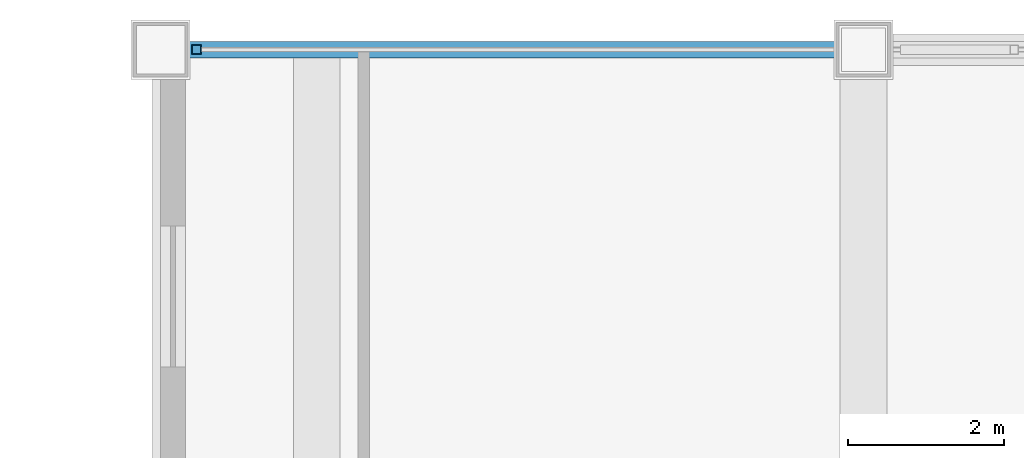
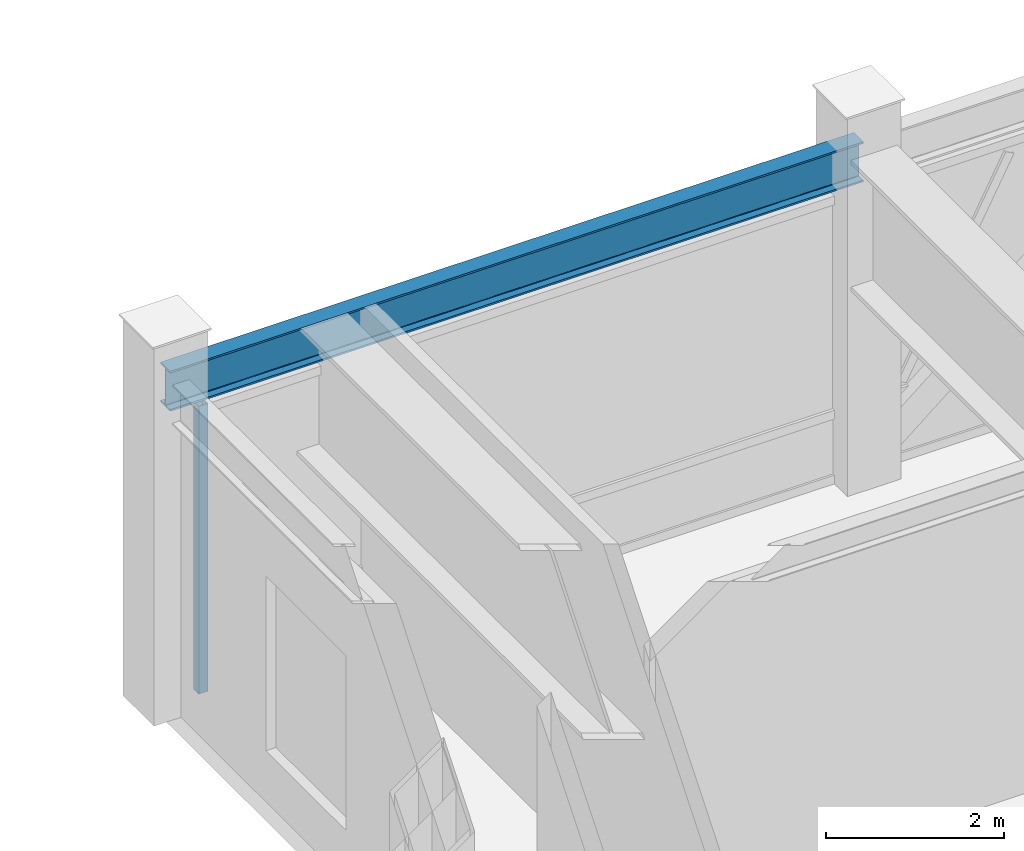
# One storey, part 16 of 29: 1 beam, 1 member, 1 element without a shape of its own.
"""IFC4 building model written with IfcOpenShell, lengths in metres."""

from ifc_helpers import new_model, si_unit, direction, frame, origin, origin_2d, place, context, subcontext, project, spatial, hollow_rectangle, i_section, extrude, source, transform, mapped, material, material_profile, profile_set, type_object, element, aggregate, save


model = new_model("IFC4")

# Units and contexts
model_context = context("Model", 3, precision=1e-05, world=origin(), true_north=direction((0.0, 1.0)))
body_context = subcontext(model_context, "Body", "Model", "MODEL_VIEW")
ifc_project = project(units=[si_unit("LENGTHUNIT", "METRE"), si_unit("AREAUNIT", "SQUARE_METRE"), si_unit("VOLUMEUNIT", "CUBIC_METRE"), si_unit("PLANEANGLEUNIT", "RADIAN"), si_unit("MASSUNIT", "GRAM", prefix="KILO")], contexts=[model_context])

# Site, building, storey
site_placement = place(None, origin())
site = spatial("IfcSite", under=ifc_project, at=site_placement, CompositionType="ELEMENT")
building_placement = place(site_placement, origin())
building = spatial("IfcBuilding", under=site, at=building_placement, Name="Khorayat Bourse Tower", CompositionType="ELEMENT")
storey_placement = place(building_placement, frame((0.0, 0.0, 370.300048828125)))
storey = spatial("IfcBuildingStorey", under=building, at=storey_placement, Name="L88", CompositionType="ELEMENT", Elevation=370.300048828125)

# Beam
ifc_material_1 = material(Name="Steel ASTM A992 Grade 50", Category="steel")
ifc_material_profile_1 = material_profile(ifc_material_1, i_section(OverallWidth=0.214111328125, OverallDepth=0.549072265625, WebThickness=0.0146484375, FlangeThickness=0.023681640625, FilletRadius=0.013916015625, at=origin_2d()), Name="W530X138")
ifc_profile_set_1 = profile_set([ifc_material_profile_1], Name="Steel ASTM A992 Grade 50")
beam_type = type_object("IfcBeamType", Name="BM-SPAN-530", PredefinedType="SPANDREL", material=ifc_profile_set_1)
shared_shape_1 = source(origin(), body_context, "Body", "SweptSolid", [
    extrude(i_section(OverallWidth=0.214111328125, OverallDepth=0.549072265625, WebThickness=0.0146484375, FlangeThickness=0.023681640625, FilletRadius=0.013916015625, at=origin_2d()), origin(), (0.0, 0.0, 1.0), 9.0),
])
beam_placement = place(storey_placement, frame((-20.0, 26.0, 4.325439453125), z_axis=(1.0, 0.0, 0.0), x_axis=(0.0, 1.0, 0.0)))
element("IfcBeam", 1, at=beam_placement, inside=storey, type_object=beam_type, Name="L88 BM-SPAN-530 BM-L88-SPN-045", PredefinedType="SPANDREL", context=body_context, shape_type="MappedRepresentation", body=[
    mapped(shared_shape_1, transform((0.0, 0.0, 0.0), scale=1.0)),
])

# Curtain wall, member
ifc_material_2 = material(Name="Aluminium EN AW-6063 T6", Category="aluminium")
curtain_wall_type = type_object("IfcCurtainWallType", Name="CW-SYS-04", PredefinedType="NOTDEFINED", material=ifc_material_2)
curtain_wall_placement = place(storey_placement, origin())
curtain_wall = element("IfcCurtainWall", 2, at=curtain_wall_placement, inside=storey, type_object=curtain_wall_type, Name="L88 Curtain Wall CW-L88-N1", PredefinedType="NOTDEFINED")
ifc_material_profile_2 = material_profile(ifc_material_2, hollow_rectangle(XDim=0.1201171875, YDim=0.1201171875, WallThickness=0.0048828125, at=origin_2d()), Name="ALU 120x120x5")
ifc_profile_set_2 = profile_set([ifc_material_profile_2], Name="Aluminium EN AW-6063 T6")
member_type = type_object("IfcMemberType", Name="CWM-VERT-120", PredefinedType="MULLION", material=ifc_profile_set_2)
shared_shape_2 = source(origin(), body_context, "Body", "SweptSolid", [
    extrude(hollow_rectangle(XDim=0.1201171875, YDim=0.1201171875, WallThickness=0.0048828125, at=origin_2d()), origin(), (0.0, 0.0, 1.0), 3.949951171875),
])
member_placement = place(storey_placement, frame((-19.5400390625, 26.0, 0.0), z_axis=(0.0, 0.0, 1.0), x_axis=(0.0, 1.0, 0.0)))
member = element("IfcMember", 3, at=member_placement, type_object=member_type, Name="CW-L88-N1 Vertical Mullion 1", PredefinedType="MULLION", context=body_context, shape_type="MappedRepresentation", body=[
    mapped(shared_shape_2, transform((0.0, 0.0, 0.0), scale=1.0)),
])
aggregate(curtain_wall, [member])

save(model, "model.ifc")
